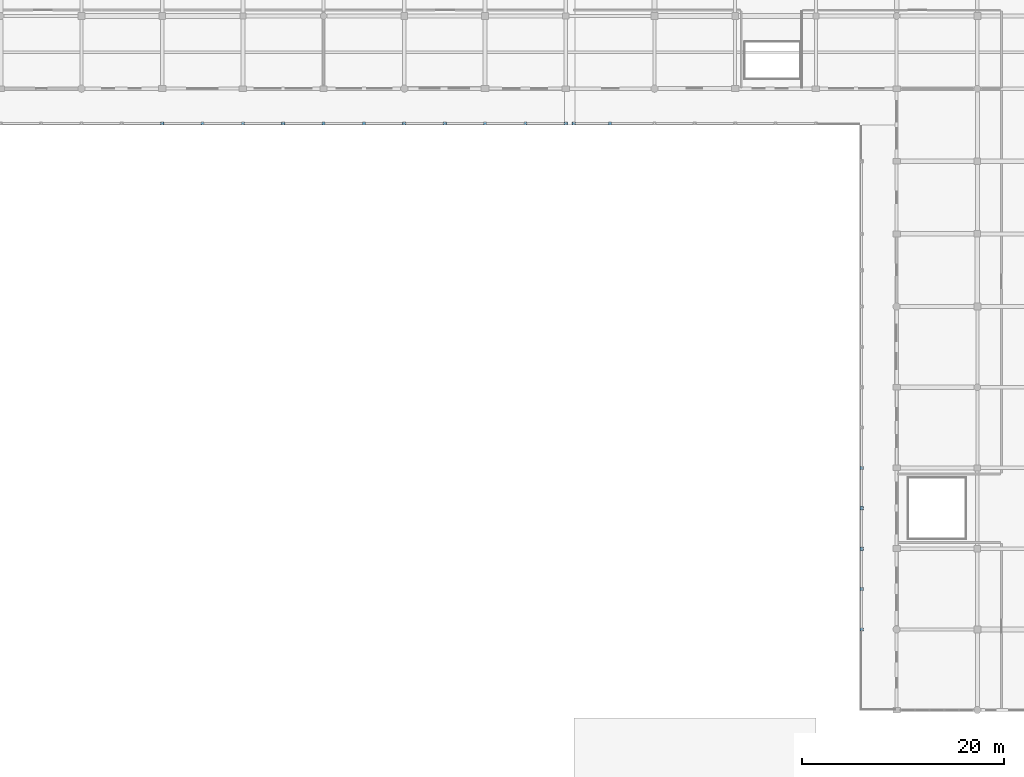
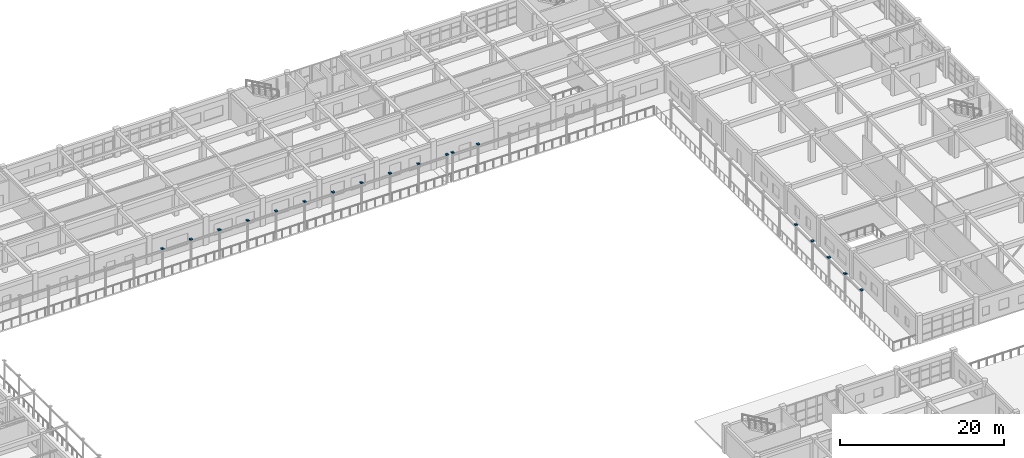
# One storey, part 180 of 195: 18 discrete accessories.
"""IFC4 building model written with IfcOpenShell, lengths in metres."""

from ifc_helpers import new_model, si_unit, direction, frame, origin, origin_2d, place, context, subcontext, project, spatial, rectangle, extrude, material, type_object, element, save


model = new_model("IFC4")

# Units and contexts
model_context = context("Model", 3, precision=1e-05, world=origin(), true_north=direction((0.0, 1.0)))
body_context = subcontext(model_context, "Body", "Model", "MODEL_VIEW")
ifc_project = project(units=[si_unit("LENGTHUNIT", "METRE"), si_unit("AREAUNIT", "SQUARE_METRE"), si_unit("VOLUMEUNIT", "CUBIC_METRE"), si_unit("PLANEANGLEUNIT", "RADIAN"), si_unit("MASSUNIT", "GRAM", prefix="KILO")], contexts=[model_context])

# Site, building, storey
site_placement = place(None, origin())
site = spatial("IfcSite", under=ifc_project, at=site_placement, CompositionType="ELEMENT")
building_placement = place(site_placement, origin())
building = spatial("IfcBuilding", under=site, at=building_placement, Name="Kharva Crest Polytechnic", CompositionType="ELEMENT")
storey_placement = place(building_placement, frame((0.0, 0.0, 9.0)))
storey = spatial("IfcBuildingStorey", under=building, at=storey_placement, Name="L02", CompositionType="ELEMENT", Elevation=9.0)

# Discrete accessories
ifc_material = material(Name="Steel S355", Category="steel")
discrete_accessory_type = type_object("IfcDiscreteAccessoryType", Name="ACC-SHOE-COL320", PredefinedType="SHOE", material=ifc_material)
for number, where, z_axis, x_axis, name in (
    (1, (80.0, 96.949951171875, 4.139892578125), (0.0, 0.0, 1.0), (1.0, 0.0, 0.0), "L02 Colonnade Cap Shoe VN04"),
    (2, (88.0, 96.949951171875, 4.139892578125), (0.0, 0.0, 1.0), (1.0, 0.0, 0.0), "L02 Colonnade Cap Shoe VN05"),
    (3, (96.0, 96.949951171875, 4.139892578125), (0.0, 0.0, 1.0), (1.0, 0.0, 0.0), "L02 Colonnade Cap Shoe VN06"),
    (4, (104.0, 96.949951171875, 4.139892578125), (0.0, 0.0, 1.0), (1.0, 0.0, 0.0), "L02 Colonnade Cap Shoe VN07"),
    (5, (112.0, 96.949951171875, 4.139892578125), (0.0, 0.0, 1.0), (1.0, 0.0, 0.0), "L02 Colonnade Cap Shoe VN08"),
    (6, (120.0, 96.949951171875, 4.139892578125), (0.0, 0.0, 1.0), (1.0, 0.0, 0.0), "L02 Colonnade Cap Shoe VN09"),
    (7, (120.800048828125, 96.949951171875, 4.139892578125), (0.0, 0.0, 1.0), (1.0, 0.0, 0.0), "L02 Colonnade Cap Shoe VN10"),
    (8, (149.35009765625, 46.800048828125, 4.139892578125), (0.0, 0.0, 1.0), (1.0, 0.0, 0.0), "L02 Colonnade Cap Shoe VE01"),
    (9, (149.35009765625, 54.800048828125, 4.139892578125), (0.0, 0.0, 1.0), (1.0, 0.0, 0.0), "L02 Colonnade Cap Shoe VE02"),
    (10, (149.35009765625, 62.800048828125, 4.139892578125), (0.0, 0.0, 1.0), (1.0, 0.0, 0.0), "L02 Colonnade Cap Shoe VE03"),
    (11, (149.35009765625, 50.800048828125, 4.139892578125), (0.0, 0.0, 1.0), (1.0, 0.0, 0.0), "L02 Colonnade Mid Cap Shoe VEM01"),
    (12, (149.35009765625, 58.800048828125, 4.139892578125), (0.0, 0.0, 1.0), (1.0, 0.0, 0.0), "L02 Colonnade Mid Cap Shoe VEM02"),
    (13, (84.0, 96.949951171875, 4.139892578125), (0.0, 0.0, 1.0), (1.0, 0.0, 0.0), "L02 Colonnade Mid Cap Shoe VNM04"),
    (14, (92.0, 96.949951171875, 4.139892578125), (0.0, 0.0, 1.0), (1.0, 0.0, 0.0), "L02 Colonnade Mid Cap Shoe VNM05"),
    (15, (100.0, 96.949951171875, 4.139892578125), (0.0, 0.0, 1.0), (1.0, 0.0, 0.0), "L02 Colonnade Mid Cap Shoe VNM06"),
    (16, (108.0, 96.949951171875, 4.139892578125), (0.0, 0.0, 1.0), (1.0, 0.0, 0.0), "L02 Colonnade Mid Cap Shoe VNM07"),
    (17, (116.0, 96.949951171875, 4.139892578125), (0.0, 0.0, 1.0), (1.0, 0.0, 0.0), "L02 Colonnade Mid Cap Shoe VNM08"),
    (18, (124.39990234375, 96.949951171875, 4.139892578125), (0.0, 0.0, 1.0), (1.0, 0.0, 0.0), "L02 Colonnade Mid Cap Shoe VNM09"),
):
    element("IfcDiscreteAccessory", number, at=place(storey_placement, frame(where, z_axis=z_axis, x_axis=x_axis)), inside=storey, type_object=discrete_accessory_type, Name=name, PredefinedType="SHOE", context=body_context, shape_type="SweptSolid", body=[
        extrude(rectangle(XDim=0.320068359375, YDim=0.320068359375, at=origin_2d()), origin(), (0.0, 0.0, 1.0), 0.1201171875),
    ])

save(model, "model.ifc")
